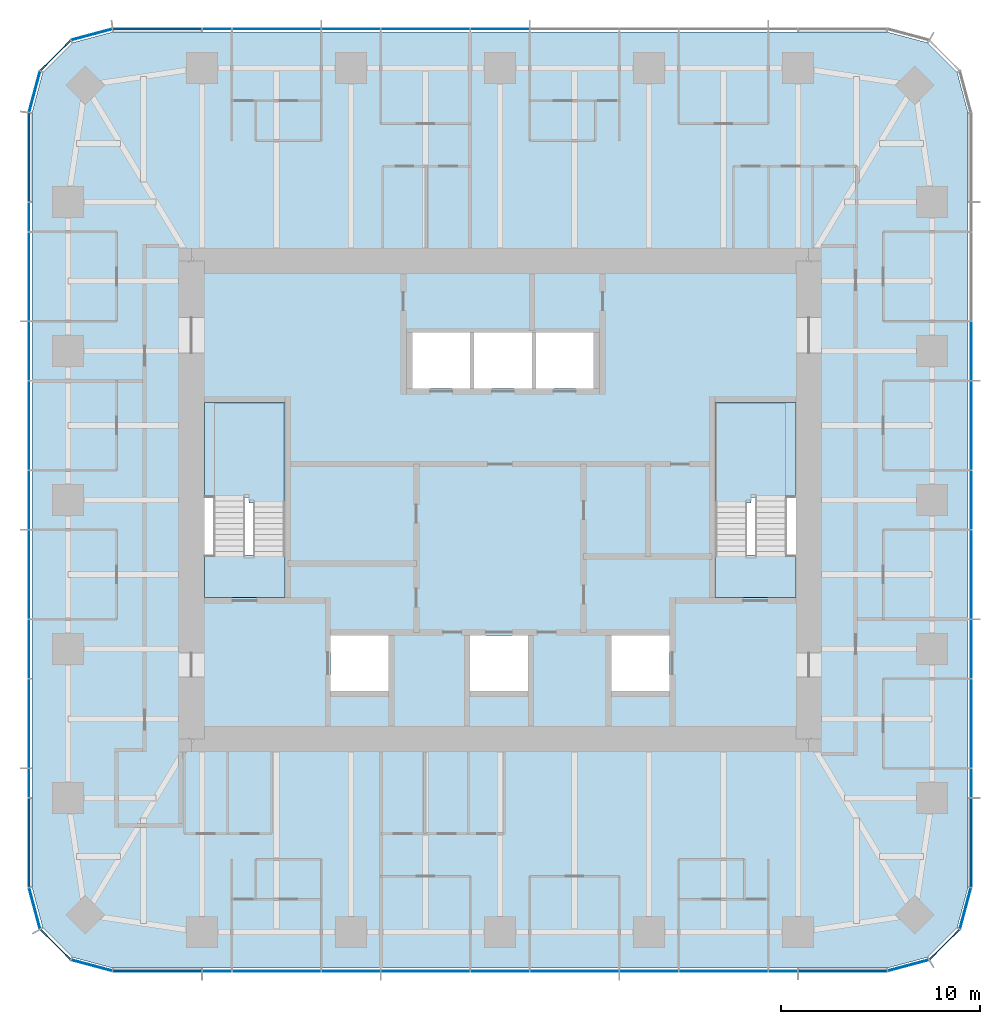
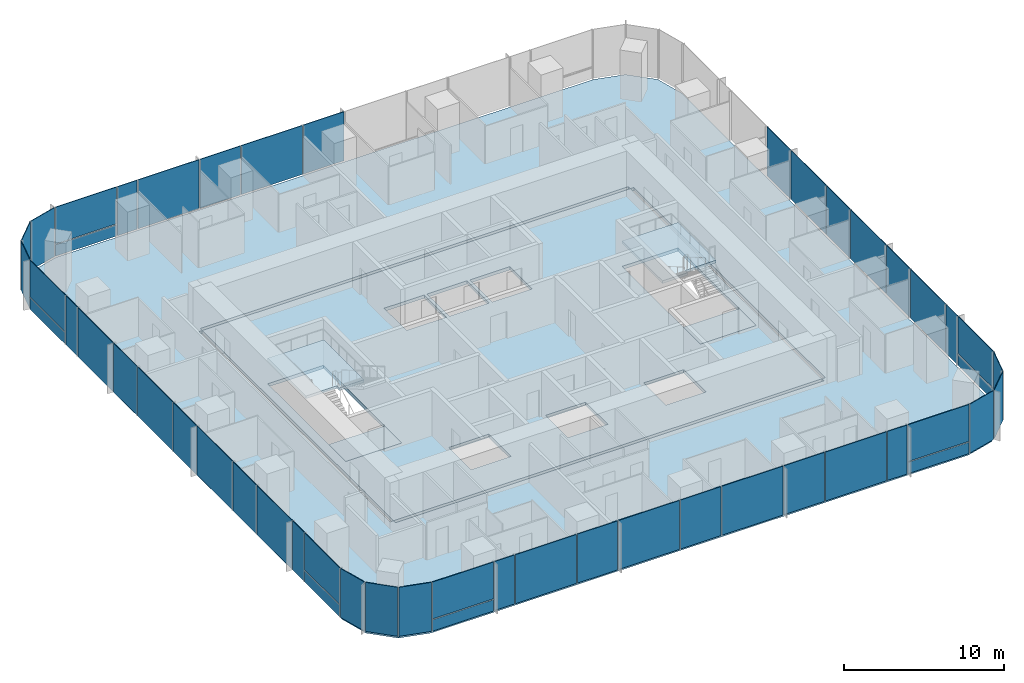
# One storey, part 7 of 12: 51 plates, 6 slabs, 9 elements without a shape of their own.
"""IFC4 building model written with IfcOpenShell, lengths in metres."""

import ifcopenshell
import ifcopenshell.guid

model = None  # the IFC model being written
_history = None  # IfcOwnerHistory: only IFC2X3 demands one
_inside = {}  # id of a spatial element -> (the spatial element, [elements in it])
_under = {}  # id of a project, library or spatial element -> (it, [spatial elements below it])
_declared = {}  # id of a project -> (the project, [libraries it declares])
_typed = {}  # id of a type object -> (the type object, [elements of that type])
_made_of = {}  # id of a material, layer set ... -> (it, [elements and type objects made of it])


def new_model(schema):
    """Start an empty IFC model of exactly this schema.

    Asked for "IFC4X3", IfcOpenShell would pick the latest addendum, in which some entities
    have other attributes; the version numbers below select the first issue.
    IFC2X3 requires an IfcOwnerHistory on every rooted entity: one is made here for all.
    """
    global model, _history
    if schema == "IFC4X3":
        model = ifcopenshell.file(schema_version=(4, 3, 0, 0))
    else:
        model = ifcopenshell.file(schema=schema)
    _inside.clear()
    _under.clear()
    _declared.clear()
    _typed.clear()
    _made_of.clear()
    _history = None
    if model.schema == "IFC2X3":
        org = make("IfcOrganization", Name="unknown")
        user = make(
            "IfcPersonAndOrganization",
            ThePerson=make("IfcPerson", FamilyName="unknown"),
            TheOrganization=org,
        )
        app = make(
            "IfcApplication",
            ApplicationDeveloper=org,
            Version="unknown",
            ApplicationFullName="unknown",
            ApplicationIdentifier="unknown",
        )
        _history = make(
            "IfcOwnerHistory",
            OwningUser=user,
            OwningApplication=app,
            ChangeAction="ADDED",
            CreationDate=0,
        )
    return model


def make(cls, **values):
    """One entity of the class cls with the attributes given. An attribute that is None is left unset."""
    return model.create_entity(
        cls, **{name: value for name, value in values.items() if value is not None}
    )


def rooted(cls, **values):
    """An entity with a GlobalId (a new one), such as an element, a storey or a relation."""
    return make(cls, GlobalId=ifcopenshell.guid.new(), OwnerHistory=_history, **values)


def si_unit(unit_type, name, prefix=None):
    """IfcSIUnit, for example si_unit("LENGTHUNIT", "METRE", prefix="MILLI")."""
    return make("IfcSIUnit", UnitType=unit_type, Prefix=prefix, Name=name)


def assignment(units):
    """IfcUnitAssignment: the units of a project."""
    return None if units is None else make("IfcUnitAssignment", Units=units)


def point(xyz):
    """IfcCartesianPoint."""
    return None if xyz is None else make("IfcCartesianPoint", Coordinates=xyz)


def direction(xyz):
    """IfcDirection."""
    return None if xyz is None else make("IfcDirection", DirectionRatios=xyz)


def frame(location, z_axis=None, x_axis=None):
    """IfcAxis2Placement3D, a coordinate frame: its origin and axes. An axis left out is left unset."""
    return make(
        "IfcAxis2Placement3D",
        Location=point(location),
        Axis=direction(z_axis),
        RefDirection=direction(x_axis),
    )


def frame_2d(location, x_axis=None):
    """IfcAxis2Placement2D, a coordinate frame in the plane: its origin and x axis."""
    return make(
        "IfcAxis2Placement2D", Location=point(location), RefDirection=direction(x_axis)
    )


def origin():
    """The frame at (0, 0, 0) with its axes left unset."""
    return frame((0.0, 0.0, 0.0))


def origin_2d():
    """The frame at (0, 0) in the plane with its x axis left unset."""
    return frame_2d((0.0, 0.0))


def place(relative_to, where):
    """IfcLocalPlacement: puts the frame where relative to a parent placement (None: the world)."""
    return make(
        "IfcLocalPlacement", PlacementRelTo=relative_to, RelativePlacement=where
    )


def context(
    kind, dimensions, precision=None, world=None, true_north=None, identifier=None
):
    """IfcGeometricRepresentationContext, for example the 3D "Model" context."""
    return make(
        "IfcGeometricRepresentationContext",
        ContextIdentifier=identifier,
        ContextType=kind,
        CoordinateSpaceDimension=dimensions,
        Precision=precision,
        WorldCoordinateSystem=world,
        TrueNorth=true_north,
    )


def subcontext(parent, identifier, kind, view, scale=None):
    """IfcGeometricRepresentationSubContext, for example "Body" below "Model"."""
    return make(
        "IfcGeometricRepresentationSubContext",
        ContextIdentifier=identifier,
        ContextType=kind,
        ParentContext=parent,
        TargetScale=scale,
        TargetView=view,
    )


def project(units=None, contexts=None):
    """IfcProject with its units and contexts."""
    return rooted(
        "IfcProject",
        Name="project",
        RepresentationContexts=contexts,
        UnitsInContext=assignment(units),
    )


def spatial(cls, under=None, at=None, **own):
    """A site, building, storey or space (cls), placed at a placement, below another one or the project."""
    s = rooted(cls, ObjectPlacement=at, **own)
    if under is not None:
        _under.setdefault(under.id(), (under, []))[1].append(s)
    return s


def polyline(points):
    """IfcPolyline through the points."""
    return make("IfcPolyline", Points=[point(p) for p in points])


def profile(cls, at=None, kind="AREA", **sizes):
    """A parametric profile (cls). Its sizes go by their IFC names, for example OverallWidth=200.0."""
    return make(cls, ProfileType=kind, Position=at, **sizes)


def rectangle(**sizes):
    """IfcRectangleProfileDef."""
    return profile("IfcRectangleProfileDef", **sizes)


def outline(outer, holes=None, kind="AREA"):
    """IfcArbitraryClosedProfileDef: a profile drawn as a closed curve; with holes, ...WithVoids."""
    if holes is None:
        return make("IfcArbitraryClosedProfileDef", ProfileType=kind, OuterCurve=outer)
    return make(
        "IfcArbitraryProfileDefWithVoids",
        ProfileType=kind,
        OuterCurve=outer,
        InnerCurves=holes,
    )


def extrude(swept, where, along, depth):
    """IfcExtrudedAreaSolid: the profile swept, set in the frame where, extruded along a direction by depth."""
    return make(
        "IfcExtrudedAreaSolid",
        SweptArea=swept,
        Position=where,
        ExtrudedDirection=direction(along),
        Depth=depth,
    )


def shape(context_of_items, identifier, shape_type, items):
    """IfcShapeRepresentation: the items that make up one representation, for example the "Body"."""
    return make(
        "IfcShapeRepresentation",
        ContextOfItems=context_of_items,
        RepresentationIdentifier=identifier,
        RepresentationType=shape_type,
        Items=items,
    )


def material(Name=None, Category=None):
    """IfcMaterial."""
    return make("IfcMaterial", Name=Name, Category=Category)


def layer(
    of_material, thickness, ventilated=None, Name=None, Category=None, Priority=None
):
    """IfcMaterialLayer: one layer of a wall or slab, of a material (None: an air gap)."""
    return make(
        "IfcMaterialLayer",
        Material=of_material,
        LayerThickness=thickness,
        IsVentilated=ventilated,
        Name=Name,
        Category=Category,
        Priority=Priority,
    )


def layer_set(layers, Name=None):
    """IfcMaterialLayerSet."""
    return make("IfcMaterialLayerSet", MaterialLayers=layers, LayerSetName=Name)


def made_of(thing, what):
    """Note that an element or type object is made of a material, layer set ...; save() writes the relation."""
    if what is not None:
        _made_of.setdefault(what.id(), (what, []))[1].append(thing)
    return thing


def type_object(cls, material=None, **own):
    """A type object (cls), such as IfcWallType, which elements share."""
    return made_of(rooted(cls, **own), material)


def element(
    cls,
    number,
    at=None,
    inside=None,
    cuts=None,
    type_object=None,
    material=None,
    context=None,
    identifier="Body",
    shape_type=None,
    held_by="IfcProductDefinitionShape",
    body=None,
    shapes=None,
    **own,
):
    """One element of the class cls, such as IfcWall. Its Tag is "e" and its number.

    at: its placement. inside: the storey or other place that contains it. cuts: it is an
    opening in that element (IfcRelVoidsElement). A single representation is given by context,
    identifier, shape_type and body (its items); several are given by shapes. held_by: the class
    of the entity that holds the representations. save() writes the other relations.
    """
    e = rooted(cls, Tag="e%d" % number, ObjectPlacement=at, **own)
    if body is not None:
        shapes = [shape(context, identifier, shape_type, body)]
    if shapes is not None:
        e.Representation = make(held_by, Representations=shapes)
    if inside is not None:
        _inside.setdefault(inside.id(), (inside, []))[1].append(e)
    if cuts is not None:
        rooted(
            "IfcRelVoidsElement", RelatingBuildingElement=cuts, RelatedOpeningElement=e
        )
    if type_object is not None:
        _typed.setdefault(type_object.id(), (type_object, []))[1].append(e)
    return made_of(e, material)


def aggregate(whole, parts):
    """IfcRelAggregates: a whole, such as a stair, and the parts it consists of."""
    return rooted("IfcRelAggregates", RelatingObject=whole, RelatedObjects=parts)


def save(model, path):
    """Write the relations noted so far, then the file.

    IfcRelAggregates (storeys below a building ...), IfcRelContainedInSpatialStructure (elements
    in a storey), IfcRelDefinesByType, IfcRelAssociatesMaterial and IfcRelDeclares: one each for
    every whole, place, type object, material and project.
    """
    for whole, parts in _under.values():
        aggregate(whole, parts)
    for where, things in _inside.values():
        rooted(
            "IfcRelContainedInSpatialStructure",
            RelatedElements=things,
            RelatingStructure=where,
        )
    for kind, things in _typed.values():
        rooted("IfcRelDefinesByType", RelatedObjects=things, RelatingType=kind)
    for what, things in _made_of.values():
        rooted("IfcRelAssociatesMaterial", RelatedObjects=things, RelatingMaterial=what)
    for by, libraries in _declared.values():
        rooted("IfcRelDeclares", RelatingContext=by, RelatedDefinitions=libraries)
    model.write(path)


model = new_model("IFC4")

# Units and contexts
model_context = context("Model", 3, precision=1e-05, world=origin(), true_north=direction((0.0, 1.0)))
body_context = subcontext(model_context, "Body", "Model", "MODEL_VIEW")
ifc_project = project(units=[si_unit("LENGTHUNIT", "METRE"), si_unit("AREAUNIT", "SQUARE_METRE"), si_unit("VOLUMEUNIT", "CUBIC_METRE"), si_unit("PLANEANGLEUNIT", "RADIAN"), si_unit("MASSUNIT", "GRAM", prefix="KILO")], contexts=[model_context])

# Site, building, storey
site_placement = place(None, origin())
site = spatial("IfcSite", under=ifc_project, at=site_placement, CompositionType="ELEMENT")
building_placement = place(site_placement, origin())
building = spatial("IfcBuilding", under=site, at=building_placement, Name="Khuree Lantern Residences", CompositionType="ELEMENT")
storey_placement = place(building_placement, frame((0.0, 0.0, 308.25)))
storey = spatial("IfcBuildingStorey", under=building, at=storey_placement, Name="L77", CompositionType="ELEMENT", Elevation=308.25)

# Slab
ifc_material_1 = material(Name="Concrete C35/45", Category="concrete")
ifc_layer_1 = layer(ifc_material_1, 0.25)
ifc_layer_set_1 = layer_set([ifc_layer_1], Name="CFL250 CORE FLOOR SLAB 250")
slab_type_1 = type_object("IfcSlabType", Name="CFL250 CORE FLOOR SLAB 250", PredefinedType="FLOOR", material=ifc_layer_set_1)
slab_1_placement = place(storey_placement, frame((0.0, 0.0, -0.25)))
element("IfcSlab", 1, at=slab_1_placement, inside=storey, type_object=slab_type_1, Name="Core floor L77", PredefinedType="FLOOR", context=body_context, shape_type="SweptSolid", body=[
    extrude(outline(polyline([(-15.5, -12.0), (-15.5, 12.0), (15.5, 12.0), (15.5, -12.0), (-15.5, -12.0)]), holes=[polyline([(10.800048828125, 4.89990234375), (10.800048828125, -4.89990234375), (14.85009765625, -4.89990234375), (14.85009765625, 4.89990234375), (10.800048828125, 4.89990234375)]), polyline([(5.60009765625, -6.800048828125), (5.60009765625, -9.60009765625), (8.5, -9.60009765625), (8.5, -6.800048828125), (5.60009765625, -6.800048828125)]), polyline([(1.800048828125, 8.39990234375), (1.800048828125, 5.60009765625), (4.699951171875, 5.60009765625), (4.699951171875, 8.39990234375), (1.800048828125, 8.39990234375)]), polyline([(-1.300048828125, 8.39990234375), (-1.300048828125, 5.60009765625), (1.60009765625, 5.60009765625), (1.60009765625, 8.39990234375), (-1.300048828125, 8.39990234375)]), polyline([(-1.5, -6.800048828125), (-1.5, -9.60009765625), (1.39990234375, -9.60009765625), (1.39990234375, -6.800048828125), (-1.5, -6.800048828125)]), polyline([(-4.39990234375, 8.39990234375), (-4.39990234375, 5.60009765625), (-1.5, 5.60009765625), (-1.5, 8.39990234375), (-4.39990234375, 8.39990234375)]), polyline([(-8.5, -6.800048828125), (-8.5, -9.60009765625), (-5.60009765625, -9.60009765625), (-5.60009765625, -6.800048828125), (-8.5, -6.800048828125)]), polyline([(-14.85009765625, 4.89990234375), (-14.85009765625, -4.89990234375), (-10.800048828125, -4.89990234375), (-10.800048828125, 4.89990234375), (-14.85009765625, 4.89990234375)])]), origin(), (0.0, 0.0, 1.0), 0.25),
])

# Curtain wall, plates
ifc_material_2 = material(Name="Bronze anodised aluminium", Category="aluminium")
curtain_wall_type_1 = type_object("IfcCurtainWallType", Name="CW-T2 TOWER CORNER CURTAIN WALL", PredefinedType="USERDEFINED", material=ifc_material_2)
curtain_wall_1_placement = place(storey_placement, origin())
curtain_wall_1 = element("IfcCurtainWall", 2, at=curtain_wall_1_placement, inside=storey, type_object=curtain_wall_type_1, Name="L77 SOUTH-EAST CORNER CURTAIN WALL", ObjectType="Faceted corner curtain wall", PredefinedType="USERDEFINED")
ifc_material_3 = material(Name="Bronze tinted triple glazing", Category="glass")
ifc_layer_2 = layer(ifc_material_3, 0.048095703125)
ifc_layer_set_2 = layer_set([ifc_layer_2], Name="FACET PANEL P4")
plate_type_1 = type_object("IfcPlateType", Name="FACET PANEL P4", PredefinedType="CURTAIN_PANEL", material=ifc_layer_set_2)
plate_1_placement = place(storey_placement, frame((20.498046875, -23.369140625, 0.0), z_axis=(0.0, 0.0, 1.0), x_axis=(0.965925861257, 0.2588189146, 0.0)))
plate_1 = element("IfcPlate", 3, at=plate_1_placement, type_object=plate_type_1, Name="L77 SOUTH-EAST CORNER PANEL 1.1", PredefinedType="CURTAIN_PANEL", context=body_context, shape_type="SweptSolid", body=[
    extrude(rectangle(XDim=2.09814453125, YDim=0.048095703125, at=origin_2d()), origin(), (0.0, 0.0, 1.0), 3.75),
])
plate_2_placement = place(storey_placement, frame((22.318603515625, -22.318603515625, 0.0), z_axis=(0.0, 0.0, 1.0), x_axis=(0.707106781187, 0.707106781187, 0.0)))
plate_2 = element("IfcPlate", 4, at=plate_2_placement, type_object=plate_type_1, Name="L77 SOUTH-EAST CORNER PANEL 2.1", PredefinedType="CURTAIN_PANEL", context=body_context, shape_type="SweptSolid", body=[
    extrude(rectangle(XDim=2.093994140625, YDim=0.048095703125, at=origin_2d()), origin(), (0.0, 0.0, 1.0), 3.75),
])
plate_3_placement = place(storey_placement, frame((23.369140625, -20.498046875, 0.0), z_axis=(0.0, 0.0, 1.0), x_axis=(0.2588189146, 0.965925861257, 0.0)))
plate_3 = element("IfcPlate", 5, at=plate_3_placement, type_object=plate_type_1, Name="L77 SOUTH-EAST CORNER PANEL 3.1", PredefinedType="CURTAIN_PANEL", context=body_context, shape_type="SweptSolid", body=[
    extrude(rectangle(XDim=2.09814453125, YDim=0.048095703125, at=origin_2d()), origin(), (0.0, 0.0, 1.0), 3.75),
])
aggregate(curtain_wall_1, [plate_1, plate_2, plate_3])

curtain_wall_2_placement = place(storey_placement, origin())
curtain_wall_2 = element("IfcCurtainWall", 6, at=curtain_wall_2_placement, inside=storey, type_object=curtain_wall_type_1, Name="L77 NORTH-WEST CORNER CURTAIN WALL", ObjectType="Faceted corner curtain wall", PredefinedType="USERDEFINED")
plate_4_placement = place(storey_placement, frame((-20.498046875, 23.369140625, 0.0), z_axis=(0.0, 0.0, 1.0), x_axis=(-0.965925861257, -0.2588189146, 0.0)))
plate_4 = element("IfcPlate", 7, at=plate_4_placement, type_object=plate_type_1, Name="L77 NORTH-WEST CORNER PANEL 29.1", PredefinedType="CURTAIN_PANEL", context=body_context, shape_type="SweptSolid", body=[
    extrude(rectangle(XDim=2.09814453125, YDim=0.048095703125, at=origin_2d()), origin(), (0.0, 0.0, 1.0), 3.75),
])
plate_5_placement = place(storey_placement, frame((-22.318603515625, 22.318603515625, 0.0), z_axis=(0.0, 0.0, 1.0), x_axis=(-0.707106781187, -0.707106781187, 0.0)))
plate_5 = element("IfcPlate", 8, at=plate_5_placement, type_object=plate_type_1, Name="L77 NORTH-WEST CORNER PANEL 30.1", PredefinedType="CURTAIN_PANEL", context=body_context, shape_type="SweptSolid", body=[
    extrude(rectangle(XDim=2.093994140625, YDim=0.048095703125, at=origin_2d()), origin(), (0.0, 0.0, 1.0), 3.75),
])
plate_6_placement = place(storey_placement, frame((-23.369140625, 20.498046875, 0.0), z_axis=(0.0, 0.0, 1.0), x_axis=(-0.2588189146, -0.965925861257, 0.0)))
plate_6 = element("IfcPlate", 9, at=plate_6_placement, type_object=plate_type_1, Name="L77 NORTH-WEST CORNER PANEL 31.1", PredefinedType="CURTAIN_PANEL", context=body_context, shape_type="SweptSolid", body=[
    extrude(rectangle(XDim=2.09814453125, YDim=0.048095703125, at=origin_2d()), origin(), (0.0, 0.0, 1.0), 3.75),
])
aggregate(curtain_wall_2, [plate_4, plate_5, plate_6])

curtain_wall_3_placement = place(storey_placement, origin())
curtain_wall_3 = element("IfcCurtainWall", 10, at=curtain_wall_3_placement, inside=storey, type_object=curtain_wall_type_1, Name="L77 SOUTH-WEST CORNER CURTAIN WALL", ObjectType="Faceted corner curtain wall", PredefinedType="USERDEFINED")
plate_7_placement = place(storey_placement, frame((-23.369140625, -20.498046875, 0.0), z_axis=(0.0, 0.0, 1.0), x_axis=(0.2588189146, -0.965925861257, 0.0)))
plate_7 = element("IfcPlate", 11, at=plate_7_placement, type_object=plate_type_1, Name="L77 SOUTH-WEST CORNER PANEL 43.1", PredefinedType="CURTAIN_PANEL", context=body_context, shape_type="SweptSolid", body=[
    extrude(rectangle(XDim=2.09814453125, YDim=0.048095703125, at=origin_2d()), origin(), (0.0, 0.0, 1.0), 3.75),
])
plate_8_placement = place(storey_placement, frame((-22.318603515625, -22.318603515625, 0.0), z_axis=(0.0, 0.0, 1.0), x_axis=(0.707106781187, -0.707106781187, 0.0)))
plate_8 = element("IfcPlate", 12, at=plate_8_placement, type_object=plate_type_1, Name="L77 SOUTH-WEST CORNER PANEL 44.1", PredefinedType="CURTAIN_PANEL", context=body_context, shape_type="SweptSolid", body=[
    extrude(rectangle(XDim=2.093994140625, YDim=0.048095703125, at=origin_2d()), origin(), (0.0, 0.0, 1.0), 3.75),
])
plate_9_placement = place(storey_placement, frame((-20.498046875, -23.369140625, 0.0), z_axis=(0.0, 0.0, 1.0), x_axis=(0.965925861257, -0.2588189146, 0.0)))
plate_9 = element("IfcPlate", 13, at=plate_9_placement, type_object=plate_type_1, Name="L77 SOUTH-WEST CORNER PANEL 45.1", PredefinedType="CURTAIN_PANEL", context=body_context, shape_type="SweptSolid", body=[
    extrude(rectangle(XDim=2.09814453125, YDim=0.048095703125, at=origin_2d()), origin(), (0.0, 0.0, 1.0), 3.75),
])
aggregate(curtain_wall_3, [plate_7, plate_8, plate_9])

curtain_wall_type_2 = type_object("IfcCurtainWallType", Name="CW-T1 TOWER FACE CURTAIN WALL", PredefinedType="USERDEFINED", material=ifc_material_2)
curtain_wall_4_placement = place(storey_placement, origin())
curtain_wall_4 = element("IfcCurtainWall", 14, at=curtain_wall_4_placement, inside=storey, type_object=curtain_wall_type_2, Name="L77 EAST FACE CURTAIN WALL", ObjectType="Stick-built curtain wall", PredefinedType="USERDEFINED")
ifc_material_4 = material(Name="Bronze tinted triple glazing with a ceramic-fritted spandrel band", Category="glass")
ifc_layer_3 = layer(ifc_material_4, 0.048095703125)
ifc_layer_set_3 = layer_set([ifc_layer_3], Name="FIXED LIGHT PANEL P11")
plate_type_2 = type_object("IfcPlateType", Name="FIXED LIGHT PANEL P11", PredefinedType="CURTAIN_PANEL", material=ifc_layer_set_3)
plate_10_placement = place(storey_placement, frame((23.64990234375, -11.219970703125, 0.0), z_axis=(0.0, 0.0, 1.0), x_axis=(0.0, 1.0, 0.0)))
plate_10 = element("IfcPlate", 15, at=plate_10_placement, type_object=plate_type_2, Name="L77 EAST FACE PANEL 6.1", PredefinedType="CURTAIN_PANEL", context=body_context, shape_type="SweptSolid", body=[
    extrude(rectangle(XDim=4.423095703125, YDim=0.048095703125, at=origin_2d()), origin(), (0.0, 0.0, 1.0), 3.75),
])
plate_11_placement = place(storey_placement, frame((23.64990234375, -3.739990234375, 0.0), z_axis=(0.0, 0.0, 1.0), x_axis=(0.0, 1.0, 0.0)))
plate_11 = element("IfcPlate", 16, at=plate_11_placement, type_object=plate_type_2, Name="L77 EAST FACE PANEL 8.1", PredefinedType="CURTAIN_PANEL", context=body_context, shape_type="SweptSolid", body=[
    extrude(rectangle(XDim=4.423095703125, YDim=0.048095703125, at=origin_2d()), origin(), (0.0, 0.0, 1.0), 3.75),
])
plate_12_placement = place(storey_placement, frame((23.64990234375, 3.739990234375, 0.0), z_axis=(0.0, 0.0, 1.0), x_axis=(0.0, 1.0, 0.0)))
plate_12 = element("IfcPlate", 17, at=plate_12_placement, type_object=plate_type_2, Name="L77 EAST FACE PANEL 10.1", PredefinedType="CURTAIN_PANEL", context=body_context, shape_type="SweptSolid", body=[
    extrude(rectangle(XDim=4.423095703125, YDim=0.048095703125, at=origin_2d()), origin(), (0.0, 0.0, 1.0), 3.75),
])

curtain_wall_5_placement = place(storey_placement, origin())
curtain_wall_5 = element("IfcCurtainWall", 18, at=curtain_wall_5_placement, inside=storey, type_object=curtain_wall_type_2, Name="L77 NORTH FACE CURTAIN WALL", ObjectType="Stick-built curtain wall", PredefinedType="USERDEFINED")
plate_13_placement = place(storey_placement, frame((-3.739990234375, 23.64990234375, 0.0), z_axis=(0.0, 0.0, 1.0), x_axis=(-1.0, 0.0, 0.0)))
plate_13 = element("IfcPlate", 19, at=plate_13_placement, type_object=plate_type_2, Name="L77 NORTH FACE PANEL 24.1", PredefinedType="CURTAIN_PANEL", context=body_context, shape_type="SweptSolid", body=[
    extrude(rectangle(XDim=4.423095703125, YDim=0.048095703125, at=origin_2d()), origin(), (0.0, 0.0, 1.0), 3.75),
])
plate_14_placement = place(storey_placement, frame((-11.219970703125, 23.64990234375, 0.0), z_axis=(0.0, 0.0, 1.0), x_axis=(-1.0, 0.0, 0.0)))
plate_14 = element("IfcPlate", 20, at=plate_14_placement, type_object=plate_type_2, Name="L77 NORTH FACE PANEL 26.1", PredefinedType="CURTAIN_PANEL", context=body_context, shape_type="SweptSolid", body=[
    extrude(rectangle(XDim=4.423095703125, YDim=0.048095703125, at=origin_2d()), origin(), (0.0, 0.0, 1.0), 3.75),
])

curtain_wall_6_placement = place(storey_placement, origin())
curtain_wall_6 = element("IfcCurtainWall", 21, at=curtain_wall_6_placement, inside=storey, type_object=curtain_wall_type_2, Name="L77 WEST FACE CURTAIN WALL", ObjectType="Stick-built curtain wall", PredefinedType="USERDEFINED")
plate_15_placement = place(storey_placement, frame((-23.64990234375, 11.219970703125, 0.0), z_axis=(0.0, 0.0, 1.0), x_axis=(0.0, -1.0, 0.0)))
plate_15 = element("IfcPlate", 22, at=plate_15_placement, type_object=plate_type_2, Name="L77 WEST FACE PANEL 34.1", PredefinedType="CURTAIN_PANEL", context=body_context, shape_type="SweptSolid", body=[
    extrude(rectangle(XDim=4.423095703125, YDim=0.048095703125, at=origin_2d()), origin(), (0.0, 0.0, 1.0), 3.75),
])
plate_16_placement = place(storey_placement, frame((-23.64990234375, 3.739990234375, 0.0), z_axis=(0.0, 0.0, 1.0), x_axis=(0.0, -1.0, 0.0)))
plate_16 = element("IfcPlate", 23, at=plate_16_placement, type_object=plate_type_2, Name="L77 WEST FACE PANEL 36.1", PredefinedType="CURTAIN_PANEL", context=body_context, shape_type="SweptSolid", body=[
    extrude(rectangle(XDim=4.423095703125, YDim=0.048095703125, at=origin_2d()), origin(), (0.0, 0.0, 1.0), 3.75),
])
plate_17_placement = place(storey_placement, frame((-23.64990234375, -3.739990234375, 0.0), z_axis=(0.0, 0.0, 1.0), x_axis=(0.0, -1.0, 0.0)))
plate_17 = element("IfcPlate", 24, at=plate_17_placement, type_object=plate_type_2, Name="L77 WEST FACE PANEL 38.1", PredefinedType="CURTAIN_PANEL", context=body_context, shape_type="SweptSolid", body=[
    extrude(rectangle(XDim=4.423095703125, YDim=0.048095703125, at=origin_2d()), origin(), (0.0, 0.0, 1.0), 3.75),
])
plate_18_placement = place(storey_placement, frame((-23.64990234375, -11.219970703125, 0.0), z_axis=(0.0, 0.0, 1.0), x_axis=(0.0, -1.0, 0.0)))
plate_18 = element("IfcPlate", 25, at=plate_18_placement, type_object=plate_type_2, Name="L77 WEST FACE PANEL 40.1", PredefinedType="CURTAIN_PANEL", context=body_context, shape_type="SweptSolid", body=[
    extrude(rectangle(XDim=4.423095703125, YDim=0.048095703125, at=origin_2d()), origin(), (0.0, 0.0, 1.0), 3.75),
])

curtain_wall_7_placement = place(storey_placement, origin())
curtain_wall_7 = element("IfcCurtainWall", 26, at=curtain_wall_7_placement, inside=storey, type_object=curtain_wall_type_2, Name="L77 SOUTH FACE CURTAIN WALL", ObjectType="Stick-built curtain wall", PredefinedType="USERDEFINED")
plate_19_placement = place(storey_placement, frame((-11.219970703125, -23.64990234375, 0.0), z_axis=(0.0, 0.0, 1.0), x_axis=(1.0, 0.0, 0.0)))
plate_19 = element("IfcPlate", 27, at=plate_19_placement, type_object=plate_type_2, Name="L77 SOUTH FACE PANEL 48.1", PredefinedType="CURTAIN_PANEL", context=body_context, shape_type="SweptSolid", body=[
    extrude(rectangle(XDim=4.423095703125, YDim=0.048095703125, at=origin_2d()), origin(), (0.0, 0.0, 1.0), 3.75),
])
plate_20_placement = place(storey_placement, frame((-3.739990234375, -23.64990234375, 0.0), z_axis=(0.0, 0.0, 1.0), x_axis=(1.0, 0.0, 0.0)))
plate_20 = element("IfcPlate", 28, at=plate_20_placement, type_object=plate_type_2, Name="L77 SOUTH FACE PANEL 50.1", PredefinedType="CURTAIN_PANEL", context=body_context, shape_type="SweptSolid", body=[
    extrude(rectangle(XDim=4.423095703125, YDim=0.048095703125, at=origin_2d()), origin(), (0.0, 0.0, 1.0), 3.75),
])
plate_21_placement = place(storey_placement, frame((3.739990234375, -23.64990234375, 0.0), z_axis=(0.0, 0.0, 1.0), x_axis=(1.0, 0.0, 0.0)))
plate_21 = element("IfcPlate", 29, at=plate_21_placement, type_object=plate_type_2, Name="L77 SOUTH FACE PANEL 52.1", PredefinedType="CURTAIN_PANEL", context=body_context, shape_type="SweptSolid", body=[
    extrude(rectangle(XDim=4.423095703125, YDim=0.048095703125, at=origin_2d()), origin(), (0.0, 0.0, 1.0), 3.75),
])
plate_22_placement = place(storey_placement, frame((11.219970703125, -23.64990234375, 0.0), z_axis=(0.0, 0.0, 1.0), x_axis=(1.0, 0.0, 0.0)))
plate_22 = element("IfcPlate", 30, at=plate_22_placement, type_object=plate_type_2, Name="L77 SOUTH FACE PANEL 54.1", PredefinedType="CURTAIN_PANEL", context=body_context, shape_type="SweptSolid", body=[
    extrude(rectangle(XDim=4.423095703125, YDim=0.048095703125, at=origin_2d()), origin(), (0.0, 0.0, 1.0), 3.75),
])

# Slab
ifc_layer_4 = layer(ifc_material_1, 0.25)
ifc_layer_set_4 = layer_set([ifc_layer_4], Name="FS250 FLOOR SLAB 250")
slab_type_2 = type_object("IfcSlabType", Name="FS250 FLOOR SLAB 250", PredefinedType="FLOOR", material=ifc_layer_set_4)
slab_2_placement = place(storey_placement, frame((0.0, 0.0, -0.25)))
element("IfcSlab", 31, at=slab_2_placement, inside=storey, type_object=slab_type_2, Name="Floor slab L77", PredefinedType="FLOOR", context=body_context, shape_type="SweptSolid", body=[
    extrude(outline(polyline([(-21.47509765625, -22.95751953125), (-22.95751953125, -21.47509765625), (-23.5, -19.449951171875), (-23.5, 19.449951171875), (-22.95751953125, 21.47509765625), (-21.47509765625, 22.95751953125), (-19.449951171875, 23.5), (19.449951171875, 23.5), (21.47509765625, 22.95751953125), (22.95751953125, 21.47509765625), (23.5, 19.449951171875), (23.5, -19.449951171875), (22.95751953125, -21.47509765625), (21.47509765625, -22.95751953125), (19.449951171875, -23.5), (-19.449951171875, -23.5), (-21.47509765625, -22.95751953125)]), holes=[polyline([(15.75, 12.0), (15.5, 12.0), (15.5, 12.25), (-15.5, 12.25), (-15.5, 12.0), (-15.75, 12.0), (-15.75, -12.0), (-15.5, -12.0), (-15.5, -12.25), (15.5, -12.25), (15.5, -12.0), (15.75, -12.0), (15.75, 12.0)])]), origin(), (0.0, 0.0, 1.0), 0.25),
])

# Plate
ifc_material_5 = material(Name="Bronze tinted triple glazing, two aluminium-framed sashes in one frame", Category="aluminium")
ifc_layer_5 = layer(ifc_material_5, 0.048095703125)
ifc_layer_set_5 = layer_set([ifc_layer_5], Name="SASH PAIR PANEL P12")
plate_type_3 = type_object("IfcPlateType", Name="SASH PAIR PANEL P12", PredefinedType="CURTAIN_PANEL", material=ifc_layer_set_5)
plate_23_placement = place(storey_placement, frame((23.64990234375, -7.47998046875, 0.0), z_axis=(0.0, 0.0, 1.0), x_axis=(0.0, 1.0, 0.0)))
plate_23 = element("IfcPlate", 32, at=plate_23_placement, type_object=plate_type_3, Name="L77 EAST FACE PANEL 7.1", PredefinedType="CURTAIN_PANEL", context=body_context, shape_type="SweptSolid", body=[
    extrude(rectangle(XDim=2.927001953125, YDim=0.048095703125, at=origin_2d()), origin(), (0.0, 0.0, 1.0), 3.75),
])

plate_24_placement = place(storey_placement, frame((23.64990234375, 0.0, 0.0), z_axis=(0.0, 0.0, 1.0), x_axis=(0.0, 1.0, 0.0)))
plate_24 = element("IfcPlate", 33, at=plate_24_placement, type_object=plate_type_3, Name="L77 EAST FACE PANEL 9.1", PredefinedType="CURTAIN_PANEL", context=body_context, shape_type="SweptSolid", body=[
    extrude(rectangle(XDim=2.927001953125, YDim=0.048095703125, at=origin_2d()), origin(), (0.0, 0.0, 1.0), 3.75),
])

plate_25_placement = place(storey_placement, frame((23.64990234375, 7.47998046875, 0.0), z_axis=(0.0, 0.0, 1.0), x_axis=(0.0, 1.0, 0.0)))
plate_25 = element("IfcPlate", 34, at=plate_25_placement, type_object=plate_type_3, Name="L77 EAST FACE PANEL 11.1", PredefinedType="CURTAIN_PANEL", context=body_context, shape_type="SweptSolid", body=[
    extrude(rectangle(XDim=2.927001953125, YDim=0.048095703125, at=origin_2d()), origin(), (0.0, 0.0, 1.0), 3.75),
])

plate_26_placement = place(storey_placement, frame((0.0, 23.64990234375, 0.0), z_axis=(0.0, 0.0, 1.0), x_axis=(-1.0, 0.0, 0.0)))
plate_26 = element("IfcPlate", 35, at=plate_26_placement, type_object=plate_type_3, Name="L77 NORTH FACE PANEL 23.1", PredefinedType="CURTAIN_PANEL", context=body_context, shape_type="SweptSolid", body=[
    extrude(rectangle(XDim=2.927001953125, YDim=0.048095703125, at=origin_2d()), origin(), (0.0, 0.0, 1.0), 3.75),
])

plate_27_placement = place(storey_placement, frame((-7.47998046875, 23.64990234375, 0.0), z_axis=(0.0, 0.0, 1.0), x_axis=(-1.0, 0.0, 0.0)))
plate_27 = element("IfcPlate", 36, at=plate_27_placement, type_object=plate_type_3, Name="L77 NORTH FACE PANEL 25.1", PredefinedType="CURTAIN_PANEL", context=body_context, shape_type="SweptSolid", body=[
    extrude(rectangle(XDim=2.927001953125, YDim=0.048095703125, at=origin_2d()), origin(), (0.0, 0.0, 1.0), 3.75),
])

plate_28_placement = place(storey_placement, frame((-23.64990234375, 7.47998046875, 0.0), z_axis=(0.0, 0.0, 1.0), x_axis=(0.0, -1.0, 0.0)))
plate_28 = element("IfcPlate", 37, at=plate_28_placement, type_object=plate_type_3, Name="L77 WEST FACE PANEL 35.1", PredefinedType="CURTAIN_PANEL", context=body_context, shape_type="SweptSolid", body=[
    extrude(rectangle(XDim=2.927001953125, YDim=0.048095703125, at=origin_2d()), origin(), (0.0, 0.0, 1.0), 3.75),
])

plate_29_placement = place(storey_placement, frame((-23.64990234375, 0.0, 0.0), z_axis=(0.0, 0.0, 1.0), x_axis=(0.0, -1.0, 0.0)))
plate_29 = element("IfcPlate", 38, at=plate_29_placement, type_object=plate_type_3, Name="L77 WEST FACE PANEL 37.1", PredefinedType="CURTAIN_PANEL", context=body_context, shape_type="SweptSolid", body=[
    extrude(rectangle(XDim=2.927001953125, YDim=0.048095703125, at=origin_2d()), origin(), (0.0, 0.0, 1.0), 3.75),
])

plate_30_placement = place(storey_placement, frame((-23.64990234375, -7.47998046875, 0.0), z_axis=(0.0, 0.0, 1.0), x_axis=(0.0, -1.0, 0.0)))
plate_30 = element("IfcPlate", 39, at=plate_30_placement, type_object=plate_type_3, Name="L77 WEST FACE PANEL 39.1", PredefinedType="CURTAIN_PANEL", context=body_context, shape_type="SweptSolid", body=[
    extrude(rectangle(XDim=2.927001953125, YDim=0.048095703125, at=origin_2d()), origin(), (0.0, 0.0, 1.0), 3.75),
])

plate_31_placement = place(storey_placement, frame((-7.47998046875, -23.64990234375, 0.0), z_axis=(0.0, 0.0, 1.0), x_axis=(1.0, 0.0, 0.0)))
plate_31 = element("IfcPlate", 40, at=plate_31_placement, type_object=plate_type_3, Name="L77 SOUTH FACE PANEL 49.1", PredefinedType="CURTAIN_PANEL", context=body_context, shape_type="SweptSolid", body=[
    extrude(rectangle(XDim=2.927001953125, YDim=0.048095703125, at=origin_2d()), origin(), (0.0, 0.0, 1.0), 3.75),
])

plate_32_placement = place(storey_placement, frame((0.0, -23.64990234375, 0.0), z_axis=(0.0, 0.0, 1.0), x_axis=(1.0, 0.0, 0.0)))
plate_32 = element("IfcPlate", 41, at=plate_32_placement, type_object=plate_type_3, Name="L77 SOUTH FACE PANEL 51.1", PredefinedType="CURTAIN_PANEL", context=body_context, shape_type="SweptSolid", body=[
    extrude(rectangle(XDim=2.927001953125, YDim=0.048095703125, at=origin_2d()), origin(), (0.0, 0.0, 1.0), 3.75),
])

plate_33_placement = place(storey_placement, frame((7.47998046875, -23.64990234375, 0.0), z_axis=(0.0, 0.0, 1.0), x_axis=(1.0, 0.0, 0.0)))
plate_33 = element("IfcPlate", 42, at=plate_33_placement, type_object=plate_type_3, Name="L77 SOUTH FACE PANEL 53.1", PredefinedType="CURTAIN_PANEL", context=body_context, shape_type="SweptSolid", body=[
    extrude(rectangle(XDim=2.927001953125, YDim=0.048095703125, at=origin_2d()), origin(), (0.0, 0.0, 1.0), 3.75),
])

ifc_material_6 = material(Name="Bronze tinted triple glazing, aluminium-framed sash", Category="aluminium")
ifc_layer_6 = layer(ifc_material_6, 0.048095703125)
ifc_layer_set_6 = layer_set([ifc_layer_6], Name="SASH PANEL P3")
plate_type_4 = type_object("IfcPlateType", Name="SASH PANEL P3", PredefinedType="CURTAIN_PANEL", material=ifc_layer_set_6)
plate_34_placement = place(storey_placement, frame((23.64990234375, -14.2119140625, 0.0), z_axis=(0.0, 0.0, 1.0), x_axis=(0.0, 1.0, 0.0)))
plate_34 = element("IfcPlate", 43, at=plate_34_placement, type_object=plate_type_4, Name="L77 EAST FACE PANEL 5.1", PredefinedType="CURTAIN_PANEL", context=body_context, shape_type="SweptSolid", body=[
    extrude(rectangle(XDim=1.430908203125, YDim=0.048095703125, at=origin_2d()), origin(), (0.0, 0.0, 1.0), 3.75),
])

plate_35_placement = place(storey_placement, frame((-14.2119140625, 23.64990234375, 0.0), z_axis=(0.0, 0.0, 1.0), x_axis=(-1.0, 0.0, 0.0)))
plate_35 = element("IfcPlate", 44, at=plate_35_placement, type_object=plate_type_4, Name="L77 NORTH FACE PANEL 27.1", PredefinedType="CURTAIN_PANEL", context=body_context, shape_type="SweptSolid", body=[
    extrude(rectangle(XDim=1.430908203125, YDim=0.048095703125, at=origin_2d()), origin(), (0.0, 0.0, 1.0), 3.75),
])

plate_36_placement = place(storey_placement, frame((-23.64990234375, 14.2119140625, 0.0), z_axis=(0.0, 0.0, 1.0), x_axis=(0.0, -1.0, 0.0)))
plate_36 = element("IfcPlate", 45, at=plate_36_placement, type_object=plate_type_4, Name="L77 WEST FACE PANEL 33.1", PredefinedType="CURTAIN_PANEL", context=body_context, shape_type="SweptSolid", body=[
    extrude(rectangle(XDim=1.430908203125, YDim=0.048095703125, at=origin_2d()), origin(), (0.0, 0.0, 1.0), 3.75),
])

plate_37_placement = place(storey_placement, frame((-23.64990234375, -14.2119140625, 0.0), z_axis=(0.0, 0.0, 1.0), x_axis=(0.0, -1.0, 0.0)))
plate_37 = element("IfcPlate", 46, at=plate_37_placement, type_object=plate_type_4, Name="L77 WEST FACE PANEL 41.1", PredefinedType="CURTAIN_PANEL", context=body_context, shape_type="SweptSolid", body=[
    extrude(rectangle(XDim=1.430908203125, YDim=0.048095703125, at=origin_2d()), origin(), (0.0, 0.0, 1.0), 3.75),
])

plate_38_placement = place(storey_placement, frame((-14.2119140625, -23.64990234375, 0.0), z_axis=(0.0, 0.0, 1.0), x_axis=(1.0, 0.0, 0.0)))
plate_38 = element("IfcPlate", 47, at=plate_38_placement, type_object=plate_type_4, Name="L77 SOUTH FACE PANEL 47.1", PredefinedType="CURTAIN_PANEL", context=body_context, shape_type="SweptSolid", body=[
    extrude(rectangle(XDim=1.430908203125, YDim=0.048095703125, at=origin_2d()), origin(), (0.0, 0.0, 1.0), 3.75),
])

plate_39_placement = place(storey_placement, frame((14.2119140625, -23.64990234375, 0.0), z_axis=(0.0, 0.0, 1.0), x_axis=(1.0, 0.0, 0.0)))
plate_39 = element("IfcPlate", 48, at=plate_39_placement, type_object=plate_type_4, Name="L77 SOUTH FACE PANEL 55.1", PredefinedType="CURTAIN_PANEL", context=body_context, shape_type="SweptSolid", body=[
    extrude(rectangle(XDim=1.430908203125, YDim=0.048095703125, at=origin_2d()), origin(), (0.0, 0.0, 1.0), 3.75),
])

ifc_material_7 = material(Name="Bronze anodised aluminium insulated spandrel", Category="aluminium")
ifc_layer_7 = layer(ifc_material_7, 0.06005859375)
ifc_layer_set_7 = layer_set([ifc_layer_7], Name="SPANDREL PANEL P2")
plate_type_5 = type_object("IfcPlateType", Name="SPANDREL PANEL P2", PredefinedType="CURTAIN_PANEL", material=ifc_layer_set_7)
plate_40_placement = place(storey_placement, frame((23.64990234375, -17.202880859375, 0.0), z_axis=(0.0, 0.0, 1.0), x_axis=(0.0, 1.0, 0.0)))
plate_40 = element("IfcPlate", 49, at=plate_40_placement, type_object=plate_type_5, Name="L77 EAST FACE PANEL 4.1", PredefinedType="CURTAIN_PANEL", context=body_context, shape_type="SweptSolid", body=[
    extrude(rectangle(XDim=4.420654296875, YDim=0.06005859375, at=origin_2d()), origin(), (0.0, 0.0, 1.0), 0.867431640625),
])

plate_41_placement = place(storey_placement, frame((-17.202880859375, 23.64990234375, 0.0), z_axis=(0.0, 0.0, 1.0), x_axis=(-1.0, 0.0, 0.0)))
plate_41 = element("IfcPlate", 50, at=plate_41_placement, type_object=plate_type_5, Name="L77 NORTH FACE PANEL 28.1", PredefinedType="CURTAIN_PANEL", context=body_context, shape_type="SweptSolid", body=[
    extrude(rectangle(XDim=4.420654296875, YDim=0.06005859375, at=origin_2d()), origin(), (0.0, 0.0, 1.0), 0.867431640625),
])

plate_42_placement = place(storey_placement, frame((-23.64990234375, 17.202880859375, 0.0), z_axis=(0.0, 0.0, 1.0), x_axis=(0.0, -1.0, 0.0)))
plate_42 = element("IfcPlate", 51, at=plate_42_placement, type_object=plate_type_5, Name="L77 WEST FACE PANEL 32.1", PredefinedType="CURTAIN_PANEL", context=body_context, shape_type="SweptSolid", body=[
    extrude(rectangle(XDim=4.420654296875, YDim=0.06005859375, at=origin_2d()), origin(), (0.0, 0.0, 1.0), 0.867431640625),
])

plate_43_placement = place(storey_placement, frame((-23.64990234375, -17.202880859375, 0.0), z_axis=(0.0, 0.0, 1.0), x_axis=(0.0, -1.0, 0.0)))
plate_43 = element("IfcPlate", 52, at=plate_43_placement, type_object=plate_type_5, Name="L77 WEST FACE PANEL 42.1", PredefinedType="CURTAIN_PANEL", context=body_context, shape_type="SweptSolid", body=[
    extrude(rectangle(XDim=4.420654296875, YDim=0.06005859375, at=origin_2d()), origin(), (0.0, 0.0, 1.0), 0.867431640625),
])

plate_44_placement = place(storey_placement, frame((-17.202880859375, -23.64990234375, 0.0), z_axis=(0.0, 0.0, 1.0), x_axis=(1.0, 0.0, 0.0)))
plate_44 = element("IfcPlate", 53, at=plate_44_placement, type_object=plate_type_5, Name="L77 SOUTH FACE PANEL 46.1", PredefinedType="CURTAIN_PANEL", context=body_context, shape_type="SweptSolid", body=[
    extrude(rectangle(XDim=4.420654296875, YDim=0.06005859375, at=origin_2d()), origin(), (0.0, 0.0, 1.0), 0.867431640625),
])

plate_45_placement = place(storey_placement, frame((17.202880859375, -23.64990234375, 0.0), z_axis=(0.0, 0.0, 1.0), x_axis=(1.0, 0.0, 0.0)))
plate_45 = element("IfcPlate", 54, at=plate_45_placement, type_object=plate_type_5, Name="L77 SOUTH FACE PANEL 56.1", PredefinedType="CURTAIN_PANEL", context=body_context, shape_type="SweptSolid", body=[
    extrude(rectangle(XDim=4.420654296875, YDim=0.06005859375, at=origin_2d()), origin(), (0.0, 0.0, 1.0), 0.867431640625),
])

# Stair, slabs
ifc_material_8 = material(Name="Concrete C40/50", Category="concrete")
stair_type = type_object("IfcStairType", Name="STAIR ST1 HALF TURN 3600", PredefinedType="HALF_TURN_STAIR", material=ifc_material_8)
stair_1_placement = place(storey_placement, origin())
stair_1 = element("IfcStair", 55, at=stair_1_placement, inside=storey, type_object=stair_type, Name="Stair ST1", PredefinedType="HALF_TURN_STAIR")
ifc_layer_8 = layer(ifc_material_8, 0.199951171875)
ifc_layer_set_8 = layer_set([ifc_layer_8], Name="STAIR LANDING SL1 200")
slab_type_3 = type_object("IfcSlabType", Name="STAIR LANDING SL1 200", PredefinedType="LANDING", material=ifc_layer_set_8)
slab_3_placement = place(storey_placement, frame((0.0, 0.0, -0.199951171875)))
slab_3 = element("IfcSlab", 56, at=slab_3_placement, type_object=slab_type_3, Name="ST1 landing 1", PredefinedType="LANDING", context=body_context, shape_type="SweptSolid", body=[
    extrude(outline(polyline([(-14.85009765625, -4.89990234375), (-10.800048828125, -4.89990234375), (-10.800048828125, -2.760009765625), (-14.85009765625, -2.760009765625), (-14.85009765625, -4.89990234375)])), origin(), (0.0, 0.0, 1.0), 0.199951171875),
])
slab_4_placement = place(storey_placement, frame((0.0, 0.0, 1.756591796875)))
slab_4 = element("IfcSlab", 57, at=slab_4_placement, type_object=slab_type_3, Name="ST1 landing 2", PredefinedType="LANDING", context=body_context, shape_type="SweptSolid", body=[
    extrude(outline(polyline([(-14.85009765625, 0.1201171875), (-14.85009765625, 4.89990234375), (-10.800048828125, 4.89990234375), (-10.800048828125, -0.159912109375), (-12.60009765625, -0.159912109375), (-12.60009765625, 0.1201171875), (-14.85009765625, 0.1201171875)])), origin(), (0.0, 0.0, 1.0), 0.199951171875),
])
aggregate(stair_1, [slab_3, slab_4])

stair_2_placement = place(storey_placement, origin())
stair_2 = element("IfcStair", 58, at=stair_2_placement, inside=storey, type_object=stair_type, Name="Stair ST2", PredefinedType="HALF_TURN_STAIR")
slab_5_placement = place(storey_placement, frame((0.0, 0.0, -0.199951171875)))
slab_5 = element("IfcSlab", 59, at=slab_5_placement, type_object=slab_type_3, Name="ST2 landing 1", PredefinedType="LANDING", context=body_context, shape_type="SweptSolid", body=[
    extrude(outline(polyline([(10.800048828125, -4.89990234375), (14.85009765625, -4.89990234375), (14.85009765625, -2.760009765625), (10.800048828125, -2.760009765625), (10.800048828125, -4.89990234375)])), origin(), (0.0, 0.0, 1.0), 0.199951171875),
])
slab_6_placement = place(storey_placement, frame((0.0, 0.0, 1.756591796875)))
slab_6 = element("IfcSlab", 60, at=slab_6_placement, type_object=slab_type_3, Name="ST2 landing 2", PredefinedType="LANDING", context=body_context, shape_type="SweptSolid", body=[
    extrude(outline(polyline([(14.85009765625, 4.89990234375), (14.85009765625, 0.1201171875), (12.60009765625, 0.1201171875), (12.60009765625, -0.159912109375), (10.800048828125, -0.159912109375), (10.800048828125, 4.89990234375), (14.85009765625, 4.89990234375)])), origin(), (0.0, 0.0, 1.0), 0.199951171875),
])
aggregate(stair_2, [slab_5, slab_6])

# Plate
ifc_layer_9 = layer(ifc_material_3, 0.048095703125)
ifc_layer_set_9 = layer_set([ifc_layer_9], Name="VISION PANEL P1")
plate_type_6 = type_object("IfcPlateType", Name="VISION PANEL P1", PredefinedType="CURTAIN_PANEL", material=ifc_layer_set_9)
plate_46_placement = place(storey_placement, frame((23.64990234375, -17.203369140625, 0.9326171875), z_axis=(0.0, 0.0, 1.0), x_axis=(0.0, 1.0, 0.0)))
plate_46 = element("IfcPlate", 61, at=plate_46_placement, type_object=plate_type_6, Name="L77 EAST FACE PANEL 4.2", PredefinedType="CURTAIN_PANEL", context=body_context, shape_type="SweptSolid", body=[
    extrude(rectangle(XDim=4.421630859375, YDim=0.048095703125, at=origin_2d()), origin(), (0.0, 0.0, 1.0), 2.8173828125),
])

aggregate(curtain_wall_4, [plate_40, plate_46, plate_34, plate_10, plate_23, plate_11, plate_24, plate_12, plate_25])

plate_47_placement = place(storey_placement, frame((-17.203369140625, 23.64990234375, 0.9326171875), z_axis=(0.0, 0.0, 1.0), x_axis=(-1.0, 0.0, 0.0)))
plate_47 = element("IfcPlate", 62, at=plate_47_placement, type_object=plate_type_6, Name="L77 NORTH FACE PANEL 28.2", PredefinedType="CURTAIN_PANEL", context=body_context, shape_type="SweptSolid", body=[
    extrude(rectangle(XDim=4.421630859375, YDim=0.048095703125, at=origin_2d()), origin(), (0.0, 0.0, 1.0), 2.8173828125),
])

aggregate(curtain_wall_5, [plate_26, plate_13, plate_27, plate_14, plate_35, plate_41, plate_47])

plate_48_placement = place(storey_placement, frame((-23.64990234375, 17.203369140625, 0.9326171875), z_axis=(0.0, 0.0, 1.0), x_axis=(0.0, -1.0, 0.0)))
plate_48 = element("IfcPlate", 63, at=plate_48_placement, type_object=plate_type_6, Name="L77 WEST FACE PANEL 32.2", PredefinedType="CURTAIN_PANEL", context=body_context, shape_type="SweptSolid", body=[
    extrude(rectangle(XDim=4.421630859375, YDim=0.048095703125, at=origin_2d()), origin(), (0.0, 0.0, 1.0), 2.8173828125),
])

plate_49_placement = place(storey_placement, frame((-23.64990234375, -17.203369140625, 0.9326171875), z_axis=(0.0, 0.0, 1.0), x_axis=(0.0, -1.0, 0.0)))
plate_49 = element("IfcPlate", 64, at=plate_49_placement, type_object=plate_type_6, Name="L77 WEST FACE PANEL 42.2", PredefinedType="CURTAIN_PANEL", context=body_context, shape_type="SweptSolid", body=[
    extrude(rectangle(XDim=4.421630859375, YDim=0.048095703125, at=origin_2d()), origin(), (0.0, 0.0, 1.0), 2.8173828125),
])

aggregate(curtain_wall_6, [plate_42, plate_48, plate_36, plate_15, plate_28, plate_16, plate_29, plate_17, plate_30, plate_18, plate_37, plate_43, plate_49])

plate_50_placement = place(storey_placement, frame((-17.203369140625, -23.64990234375, 0.9326171875), z_axis=(0.0, 0.0, 1.0), x_axis=(1.0, 0.0, 0.0)))
plate_50 = element("IfcPlate", 65, at=plate_50_placement, type_object=plate_type_6, Name="L77 SOUTH FACE PANEL 46.2", PredefinedType="CURTAIN_PANEL", context=body_context, shape_type="SweptSolid", body=[
    extrude(rectangle(XDim=4.421630859375, YDim=0.048095703125, at=origin_2d()), origin(), (0.0, 0.0, 1.0), 2.8173828125),
])

plate_51_placement = place(storey_placement, frame((17.203369140625, -23.64990234375, 0.9326171875), z_axis=(0.0, 0.0, 1.0), x_axis=(1.0, 0.0, 0.0)))
plate_51 = element("IfcPlate", 66, at=plate_51_placement, type_object=plate_type_6, Name="L77 SOUTH FACE PANEL 56.2", PredefinedType="CURTAIN_PANEL", context=body_context, shape_type="SweptSolid", body=[
    extrude(rectangle(XDim=4.421630859375, YDim=0.048095703125, at=origin_2d()), origin(), (0.0, 0.0, 1.0), 2.8173828125),
])

aggregate(curtain_wall_7, [plate_44, plate_50, plate_38, plate_19, plate_31, plate_20, plate_32, plate_21, plate_33, plate_22, plate_39, plate_45, plate_51])

save(model, "model.ifc")
